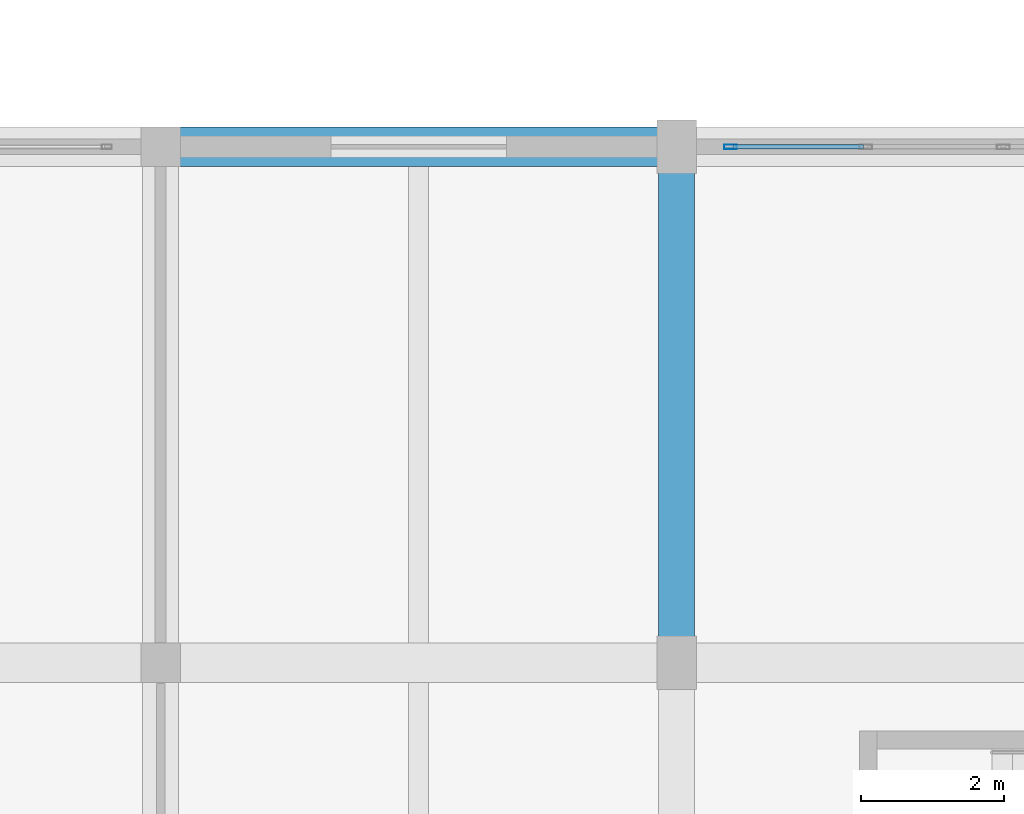
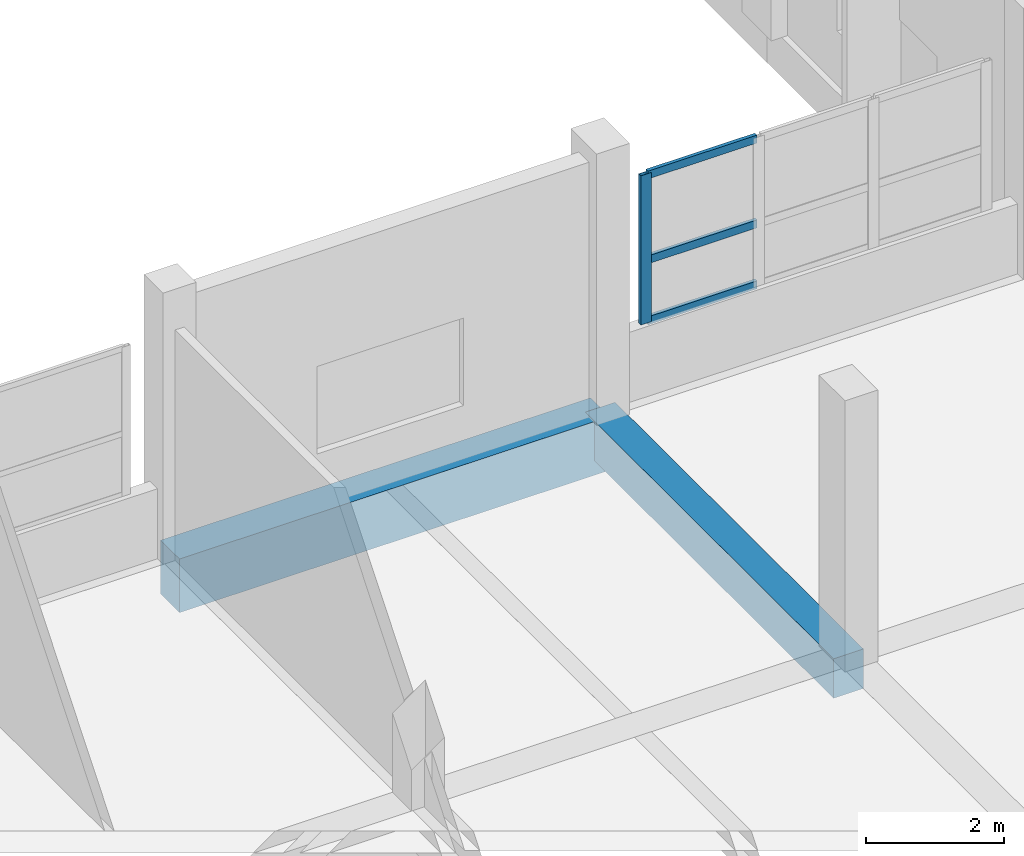
# One storey, part 114 of 181: 4 members, 2 beams, 1 element without a shape of its own.
"""IFC4 building model written with IfcOpenShell, lengths in metres."""

from ifc_helpers import new_model, si_unit, direction, frame, origin, origin_2d, place, context, subcontext, project, spatial, rectangle, hollow_rectangle, extrude, material, layer, layer_set, material_profile, profile_set, type_object, element, aggregate, save


model = new_model("IFC4")

# Units and contexts
model_context = context("Model", 3, precision=1e-05, world=origin(), true_north=direction((0.0, 1.0)))
body_context = subcontext(model_context, "Body", "Model", "MODEL_VIEW")
ifc_project = project(units=[si_unit("LENGTHUNIT", "METRE"), si_unit("AREAUNIT", "SQUARE_METRE"), si_unit("VOLUMEUNIT", "CUBIC_METRE"), si_unit("PLANEANGLEUNIT", "RADIAN"), si_unit("MASSUNIT", "GRAM", prefix="KILO")], contexts=[model_context])

# Site, building, storey
site_placement = place(None, origin())
site = spatial("IfcSite", under=ifc_project, at=site_placement, CompositionType="ELEMENT")
building_placement = place(site_placement, origin())
building = spatial("IfcBuilding", under=site, at=building_placement, Name="Seraya Terrace Polytechnic", CompositionType="ELEMENT")
storey_placement = place(building_placement, frame((0.0, 0.0, 4.800048828125)))
storey = spatial("IfcBuildingStorey", under=building, at=storey_placement, Name="L01", CompositionType="ELEMENT", Elevation=4.800048828125)

# Beams
ifc_material_1 = material(Name="Concrete C40/50", Category="concrete")
ifc_material_profile_1 = material_profile(ifc_material_1, rectangle(XDim=0.550048828125, YDim=0.949951171875, at=origin_2d()), Name="RC 550x950")
ifc_profile_set_1 = profile_set([ifc_material_profile_1], Name="Concrete C40/50")
beam_type_1 = type_object("IfcBeamType", Name="BM-03", PredefinedType="BEAM", material=ifc_profile_set_1)
beam_1_placement = place(storey_placement, frame((129.60009765625, 36.0, -0.47509765625), z_axis=(1.0, 0.0, 0.0), x_axis=(0.0, 1.0, 0.0)))
element("IfcBeam", 1, at=beam_1_placement, inside=storey, type_object=beam_type_1, Name="Beam BM-03 L01 X (129.6..136.8, 36.0)", PredefinedType="BEAM", context=body_context, shape_type="SweptSolid", body=[
    extrude(rectangle(XDim=0.550048828125, YDim=0.949951171875, at=origin_2d()), origin(), (0.0, 0.0, 1.0), 7.199951171875),
])
ifc_material_profile_2 = material_profile(ifc_material_1, rectangle(XDim=0.5, YDim=0.699951171875, at=origin_2d()), Name="RC 500x700")
ifc_profile_set_2 = profile_set([ifc_material_profile_2], Name="Concrete C40/50")
beam_type_2 = type_object("IfcBeamType", Name="BM-07", PredefinedType="BEAM", material=ifc_profile_set_2)
beam_2_placement = place(storey_placement, frame((136.800048828125, 28.800048828125, -0.35009765625), z_axis=(0.0, 1.0, 0.0), x_axis=(-1.0, 0.0, 0.0)))
element("IfcBeam", 2, at=beam_2_placement, inside=storey, type_object=beam_type_2, Name="Beam BM-07 L01 Y (136.8, 28.8..36.0)", PredefinedType="BEAM", context=body_context, shape_type="SweptSolid", body=[
    extrude(rectangle(XDim=0.5, YDim=0.699951171875, at=origin_2d()), origin(), (0.0, 0.0, 1.0), 7.199951171875),
])

# Curtain wall, members
ifc_material_2 = material(Name="Anodised aluminium EN AW-6063 T6", Category="aluminium")
ifc_layer = layer(ifc_material_2, 0.179931640625, Name="CW-19")
ifc_layer_set = layer_set([ifc_layer], Name="Anodised aluminium EN AW-6063 T6")
curtain_wall_type = type_object("IfcCurtainWallType", Name="CW-19", PredefinedType="NOTDEFINED", material=ifc_layer_set)
curtain_wall_placement = place(storey_placement, origin())
curtain_wall = element("IfcCurtainWall", 3, at=curtain_wall_placement, inside=storey, type_object=curtain_wall_type, Name="Unitised curtain wall CW-19 (CW-L01-055)", PredefinedType="NOTDEFINED")
ifc_material_profile_3 = material_profile(ifc_material_2, hollow_rectangle(XDim=0.06494140625, YDim=0.179931640625, WallThickness=0.00390625, at=origin_2d()), Name="RHS 180x65x4.0")
ifc_profile_set_3 = profile_set([ifc_material_profile_3], Name="Anodised aluminium EN AW-6063 T6")
member_type_1 = type_object("IfcMemberType", Name="CWM-01", PredefinedType="MULLION", material=ifc_profile_set_3)
member_1_placement = place(storey_placement, frame((137.552490234375, 36.0, 1.239990234375), z_axis=(0.0, 0.0, 1.0), x_axis=(0.0, 1.0, 0.0)))
member_1 = element("IfcMember", 4, at=member_1_placement, type_object=member_type_1, Name="CW-19 mullion 1", PredefinedType="MULLION", context=body_context, shape_type="SweptSolid", body=[
    extrude(hollow_rectangle(XDim=0.06494140625, YDim=0.179931640625, WallThickness=0.00390625, at=origin_2d()), origin(), (0.0, 0.0, 1.0), 2.639892578125),
])
ifc_material_profile_4 = material_profile(ifc_material_2, hollow_rectangle(XDim=0.06005859375, YDim=0.139892578125, WallThickness=0.00341796875, at=origin_2d()), Name="RHS 140x60x3.5")
ifc_profile_set_4 = profile_set([ifc_material_profile_4], Name="Anodised aluminium EN AW-6063 T6")
member_type_2 = type_object("IfcMemberType", Name="CWT-01", PredefinedType="USERDEFINED", material=ifc_profile_set_4)
member_2_placement = place(storey_placement, frame((137.5849609375, 36.0, 1.27001953125), z_axis=(1.0, 0.0, 0.0), x_axis=(0.0, 1.0, 0.0)))
member_2 = element("IfcMember", 5, at=member_2_placement, type_object=member_type_2, Name="CW-19 transom 1.1", ObjectType="TRANSOM", PredefinedType="USERDEFINED", context=body_context, shape_type="SweptSolid", body=[
    extrude(hollow_rectangle(XDim=0.06005859375, YDim=0.139892578125, WallThickness=0.00341796875, at=origin_2d()), origin(), (0.0, 0.0, 1.0), 1.822509765625),
])
member_3_placement = place(storey_placement, frame((137.5849609375, 36.0, 2.3486328125), z_axis=(1.0, 0.0, 0.0), x_axis=(0.0, 1.0, 0.0)))
member_3 = element("IfcMember", 6, at=member_3_placement, type_object=member_type_2, Name="CW-19 transom 1.2", ObjectType="TRANSOM", PredefinedType="USERDEFINED", context=body_context, shape_type="SweptSolid", body=[
    extrude(hollow_rectangle(XDim=0.06005859375, YDim=0.139892578125, WallThickness=0.00341796875, at=origin_2d()), origin(), (0.0, 0.0, 1.0), 1.822509765625),
])
member_4_placement = place(storey_placement, frame((137.5849609375, 36.0, 3.849853515625), z_axis=(1.0, 0.0, 0.0), x_axis=(0.0, 1.0, 0.0)))
member_4 = element("IfcMember", 7, at=member_4_placement, type_object=member_type_2, Name="CW-19 transom 1.3", ObjectType="TRANSOM", PredefinedType="USERDEFINED", context=body_context, shape_type="SweptSolid", body=[
    extrude(hollow_rectangle(XDim=0.06005859375, YDim=0.139892578125, WallThickness=0.00341796875, at=origin_2d()), origin(), (0.0, 0.0, 1.0), 1.822509765625),
])
aggregate(curtain_wall, [member_1, member_2, member_3, member_4])

save(model, "model.ifc")
